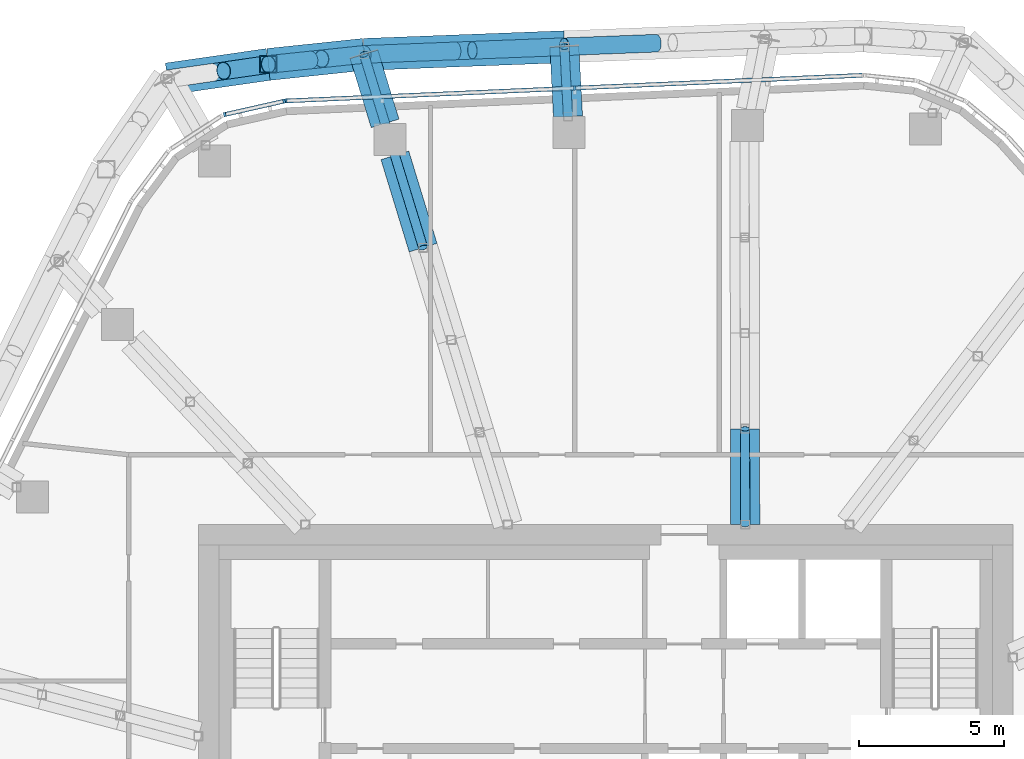
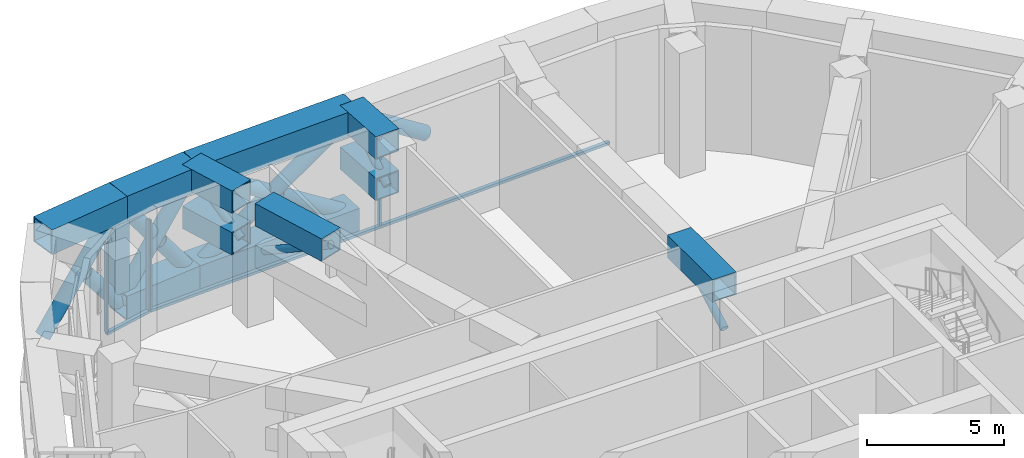
# One storey, part 7 of 31: 31 members, 2 elements without a shape of their own.
"""IFC4 building model written with IfcOpenShell, lengths in metres."""

from ifc_helpers import new_model, si_unit, direction, frame, origin, origin_2d, place, context, subcontext, project, spatial, rectangle, hollow_rectangle, hollow_circle, extrude, material, layer, layer_set, material_profile, profile_set, type_object, element, aggregate, save


model = new_model("IFC4")

# Units and contexts
model_context = context("Model", 3, precision=1e-05, world=origin(), true_north=direction((0.0, 1.0)))
body_context = subcontext(model_context, "Body", "Model", "MODEL_VIEW")
ifc_project = project(units=[si_unit("LENGTHUNIT", "METRE"), si_unit("AREAUNIT", "SQUARE_METRE"), si_unit("VOLUMEUNIT", "CUBIC_METRE"), si_unit("PLANEANGLEUNIT", "RADIAN"), si_unit("MASSUNIT", "GRAM", prefix="KILO")], contexts=[model_context])

# Site, building, storey
site_placement = place(None, origin())
site = spatial("IfcSite", under=ifc_project, at=site_placement, CompositionType="ELEMENT")
building_placement = place(site_placement, origin())
building = spatial("IfcBuilding", under=site, at=building_placement, Name="Dongbaek Canopy Tower", CompositionType="ELEMENT")
storey_placement = place(building_placement, frame((0.0, 0.0, 283.199951171875)))
storey = spatial("IfcBuildingStorey", under=building, at=storey_placement, Name="L60", CompositionType="ELEMENT", Elevation=283.199951171875)

# Members
ifc_material_1 = material(Name="Steel S355", Category="steel")
ifc_material_profile_1 = material_profile(ifc_material_1, hollow_circle(Radius=0.304931640625, WallThickness=0.01611328125, at=origin_2d()), Name="BELT BRACE CHS 610.0x16.0 Steel S355")
ifc_profile_set_1 = profile_set([ifc_material_profile_1], Name="Steel S355")
member_type_1 = type_object("IfcMemberType", Name="BELT BRACE CHS 610.0x16.0 Steel S355", PredefinedType="BRACE", material=ifc_profile_set_1)
member_1_placement = place(storey_placement, frame((-15.0615234375, 26.3212890625, 0.550048828125), z_axis=(0.612139581474, 0.087910452643, 0.785847876569), x_axis=(-0.142153348055, 0.989844647223, 0.0)))
element("IfcMember", 1, at=member_1_placement, inside=storey, type_object=member_type_1, Name="BELT:L60:13:D0:0", PredefinedType="BRACE", context=body_context, shape_type="SweptSolid", body=[
    extrude(hollow_circle(Radius=0.304931640625, WallThickness=0.01611328125, at=origin_2d()), origin(), (0.0, 0.0, 1.0), 5.66259765625),
])
member_2_placement = place(storey_placement, frame((-11.59521484375, 26.819091796875, 0.550048828125), z_axis=(-0.612103406552, -0.087858949039, 0.785881813482), x_axis=(0.142079973821, -0.989855181852, 0.0)))
element("IfcMember", 2, at=member_2_placement, inside=storey, type_object=member_type_1, Name="BELT:L60:13:D0:1", PredefinedType="BRACE", context=body_context, shape_type="SweptSolid", body=[
    extrude(hollow_circle(Radius=0.304931640625, WallThickness=0.01611328125, at=origin_2d()), origin(), (0.0, 0.0, 1.0), 2.517578125),
])
member_3_placement = place(storey_placement, frame((-11.59521484375, 26.819091796875, 0.550048828125), z_axis=(0.592948536307, 0.062281178899, 0.802828180899), x_axis=(-0.104461734799, 0.99452890655, 0.0)))
element("IfcMember", 3, at=member_3_placement, inside=storey, type_object=member_type_1, Name="BELT:L60:13:D1:0", PredefinedType="BRACE", context=body_context, shape_type="SweptSolid", body=[
    extrude(hollow_circle(Radius=0.304931640625, WallThickness=0.01611328125, at=origin_2d()), origin(), (0.0, 0.0, 1.0), 5.542724609375),
])
for number, where, z_axis, x_axis, name in (
    (4, (-8.30859375, 27.164306640625, 0.550048828125), (-0.592925431329, -0.06230843042, 0.802843130619), (0.104510971509, -0.994523733671, 0.0), "BELT:L60:13:D1:1"),
    (5, (-11.59521484375, 26.819091796875, 5.0), (0.592929105644, 0.06220928169, -0.802848105778), (-0.104345840279, 0.994541072866, 0.0), "BELT:L60:13:D1:2"),
):
    element("IfcMember", number, at=place(storey_placement, frame(where, z_axis=z_axis, x_axis=x_axis)), inside=storey, type_object=member_type_1, Name=name, PredefinedType="BRACE", context=body_context, shape_type="SweptSolid", body=[
        extrude(hollow_circle(Radius=0.304931640625, WallThickness=0.01611328125, at=origin_2d()), origin(), (0.0, 0.0, 1.0), 2.452880859375),
    ])
member_4_placement = place(storey_placement, frame((-8.30859375, 27.164306640625, 0.550048828125), z_axis=(0.839601712336, 0.032129893322, 0.542251449605), x_axis=(-0.038240027966, 0.999268582645, 0.0)))
element("IfcMember", 6, at=member_4_placement, inside=storey, type_object=member_type_1, Name="BELT:L60:14:D0:0", PredefinedType="BRACE", context=body_context, shape_type="SweptSolid", body=[
    extrude(hollow_circle(Radius=0.304931640625, WallThickness=0.01611328125, at=origin_2d()), origin(), (0.0, 0.0, 1.0), 8.20654296875),
])
for number, where, z_axis, x_axis, name in (
    (7, (-1.41845703125, 27.427978515625, 0.550048828125), (-0.83960558153, -0.03213305312, 0.542245271405), (0.03824360718, -0.999268445669, 0.0), "BELT:L60:14:D0:1"),
    (8, (-8.30859375, 27.164306640625, 5.0), (0.83960558153, 0.03213305312, -0.542245271405), (-0.03824360718, 0.999268445669, 0.0), "BELT:L60:14:D0:2"),
):
    element("IfcMember", number, at=place(storey_placement, frame(where, z_axis=z_axis, x_axis=x_axis)), inside=storey, type_object=member_type_1, Name=name, PredefinedType="BRACE", context=body_context, shape_type="SweptSolid", body=[
        extrude(hollow_circle(Radius=0.304931640625, WallThickness=0.01611328125, at=origin_2d()), origin(), (0.0, 0.0, 1.0), 3.7685546875),
    ])
member_5_placement = place(storey_placement, frame((-1.41845703125, 27.427978515625, 5.0), z_axis=(0.8395847148, 0.032199521819, -0.542273637077), x_axis=(-0.038323550837, 0.999265382894, 0.0)))
element("IfcMember", 9, at=member_5_placement, inside=storey, type_object=member_type_1, Name="BELT:L60:15:D0:2", PredefinedType="BRACE", context=body_context, shape_type="SweptSolid", body=[
    extrude(hollow_circle(Radius=0.304931640625, WallThickness=0.01611328125, at=origin_2d()), origin(), (0.0, 0.0, 1.0), 3.768310546875),
])
ifc_material_2 = material(Name="Steel S355", Category="steel")
ifc_material_profile_2 = material_profile(ifc_material_2, hollow_rectangle(XDim=1.10009765625, YDim=1.10009765625, WallThickness=0.054931640625, at=origin_2d()), Name="BELT CHORD BOX 1100x1100x55 Steel S355")
ifc_profile_set_2 = profile_set([ifc_material_profile_2], Name="Steel S355")
member_type_2 = type_object("IfcMemberType", Name="BELT CHORD BOX 1100x1100x55 Steel S355", PredefinedType="CHORD", material=ifc_profile_set_2)
member_6_placement = place(storey_placement, frame((-15.0615234375, 26.3212890625, 5.0), z_axis=(0.989844647223, 0.142153348055, 0.0), x_axis=(-0.142153348055, 0.989844647223, 0.0)))
element("IfcMember", 10, at=member_6_placement, inside=storey, type_object=member_type_2, Name="BELT:L60:13:CT0", PredefinedType="CHORD", context=body_context, shape_type="SweptSolid", body=[
    extrude(hollow_rectangle(XDim=1.10009765625, YDim=1.10009765625, WallThickness=0.054931640625, at=origin_2d()), origin(), (0.0, 0.0, 1.0), 3.501953125),
])
for number, where, z_axis, x_axis, name in (
    (11, (-11.59521484375, 26.819091796875, 0.550048828125), (0.99452890655, 0.104461734799, 0.0), (-0.104461734799, 0.99452890655, 0.0), "BELT:L60:13:CB1"),
    (12, (-11.59521484375, 26.819091796875, 5.0), (0.99452890655, 0.104461734799, 0.0), (-0.104461734799, 0.99452890655, 0.0), "BELT:L60:13:CT1"),
):
    element("IfcMember", number, at=place(storey_placement, frame(where, z_axis=z_axis, x_axis=x_axis)), inside=storey, type_object=member_type_2, Name=name, PredefinedType="CHORD", context=body_context, shape_type="SweptSolid", body=[
        extrude(hollow_rectangle(XDim=1.10009765625, YDim=1.10009765625, WallThickness=0.054931640625, at=origin_2d()), origin(), (0.0, 0.0, 1.0), 3.3046875),
    ])
for number, where, z_axis, x_axis, name in (
    (13, (-8.30859375, 27.164306640625, 0.550048828125), (0.999268582645, 0.038240027966, 0.0), (-0.038240027966, 0.999268582645, 0.0), "BELT:L60:14:CB0"),
    (14, (-8.30859375, 27.164306640625, 5.0), (0.999268582645, 0.038240027966, 0.0), (-0.038240027966, 0.999268582645, 0.0), "BELT:L60:14:CT0"),
):
    element("IfcMember", number, at=place(storey_placement, frame(where, z_axis=z_axis, x_axis=x_axis)), inside=storey, type_object=member_type_2, Name=name, PredefinedType="CHORD", context=body_context, shape_type="SweptSolid", body=[
        extrude(hollow_rectangle(XDim=1.10009765625, YDim=1.10009765625, WallThickness=0.054931640625, at=origin_2d()), origin(), (0.0, 0.0, 1.0), 6.895263671875),
    ])
ifc_material_3 = material(Name="Steel S355", Category="steel")
ifc_material_profile_3 = material_profile(ifc_material_3, hollow_rectangle(XDim=0.60009765625, YDim=0.60009765625, WallThickness=0.031982421875, at=origin_2d()), Name="BELT POST BOX 600x600x32 Steel S355")
ifc_profile_set_3 = profile_set([ifc_material_profile_3], Name="Steel S355")
member_type_3 = type_object("IfcMemberType", Name="BELT POST BOX 600x600x32 Steel S355", PredefinedType="POST", material=ifc_profile_set_3)
member_7_placement = place(storey_placement, frame((-11.59521484375, 26.819091796875, 1.10009765625), z_axis=(0.0, 0.0, 1.0), x_axis=(1.0, 0.0, 0.0)))
element("IfcMember", 15, at=member_7_placement, inside=storey, type_object=member_type_3, Name="BELT:L60:13:P1", PredefinedType="POST", context=body_context, shape_type="SweptSolid", body=[
    extrude(hollow_rectangle(XDim=0.60009765625, YDim=0.60009765625, WallThickness=0.031982421875, at=origin_2d()), origin(), (0.0, 0.0, 1.0), 3.349853515625),
])
ifc_material_4 = material(Name="Steel S355", Category="steel")
ifc_material_profile_4 = material_profile(ifc_material_4, hollow_circle(Radius=0.1591796875, WallThickness=0.01025390625, at=origin_2d()), Name="BRACE CHS 318.5x10.3 Steel S355")
ifc_profile_set_4 = profile_set([ifc_material_profile_4], Name="Steel S355")
member_type_4 = type_object("IfcMemberType", Name="BRACE CHS 318.5x10.3 Steel S355", PredefinedType="BRACE", material=ifc_profile_set_4)
member_8_placement = place(storey_placement, frame((-1.29443359375, 25.029052734375, 3.199951171875), z_axis=(-0.040904685165, 0.791199678015, 0.610188394056), x_axis=(-0.998666250184, -0.051630618267, 0.0)))
element("IfcMember", 16, at=member_8_placement, inside=storey, type_object=member_type_4, Name="TRUSS:L60:15:D0", PredefinedType="BRACE", context=body_context, shape_type="SweptSolid", body=[
    extrude(hollow_circle(Radius=0.1591796875, WallThickness=0.01025390625, at=origin_2d()), origin(), (0.0, 0.0, 1.0), 3.031982421875),
])
ifc_material_5 = material(Name="Steel S355", Category="steel")
ifc_material_profile_5 = material_profile(ifc_material_5, hollow_rectangle(XDim=1.0, YDim=1.0, WallThickness=0.050048828125, at=origin_2d()), Name="CHORD BOX 1000x1000x50 Steel S355")
ifc_profile_set_5 = profile_set([ifc_material_profile_5], Name="Steel S355")
member_type_5 = type_object("IfcMemberType", Name="CHORD BOX 1000x1000x50 Steel S355", PredefinedType="CHORD", material=ifc_profile_set_5)
for number, where, z_axis, x_axis, name in (
    (17, (-1.29443359375, 25.029052734375, 3.199951171875), (-0.051630618267, 0.998666250184, 0.0), (-0.998666250184, -0.051630618267, 0.0), "TRUSS:L60:15:CB"),
    (18, (-1.29443359375, 25.029052734375, 5.050048828125), (-0.051630618267, 0.998666250184, 0.0), (-0.998666250184, -0.051630618267, 0.0), "TRUSS:L60:15:CT0"),
):
    element("IfcMember", number, at=place(storey_placement, frame(where, z_axis=z_axis, x_axis=x_axis)), inside=storey, type_object=member_type_5, Name=name, PredefinedType="CHORD", context=body_context, shape_type="SweptSolid", body=[
        extrude(hollow_rectangle(XDim=1.0, YDim=1.0, WallThickness=0.050048828125, at=origin_2d()), origin(), (0.0, 0.0, 1.0), 2.402099609375),
    ])

# Curtain wall, members
ifc_material_6 = material(Name="Aluminium 6063-T6 pale anodised", Category="aluminium")
ifc_layer = layer(ifc_material_6, 0.14990234375)
ifc_layer_set = layer_set([ifc_layer], Name="CW-7 louvre curtain wall")
curtain_wall_type = type_object("IfcCurtainWallType", Name="CW-7 louvre curtain wall", PredefinedType="NOTDEFINED", material=ifc_layer_set)
curtain_wall_1_placement = place(storey_placement, origin())
curtain_wall_1 = element("IfcCurtainWall", 19, at=curtain_wall_1_placement, inside=storey, type_object=curtain_wall_type, Name="CW-7 louvre wall L60 F1", PredefinedType="NOTDEFINED")
ifc_material_7 = material(Name="Aluminium 6063-T6 pale anodised", Category="aluminium")
ifc_material_profile_6 = material_profile(ifc_material_7, rectangle(XDim=0.14990234375, YDim=0.080078125, at=origin_2d()), Name="CW-7 mullion 80 x 150")
ifc_profile_set_6 = profile_set([ifc_material_profile_6], Name="Aluminium 6063-T6 pale anodised")
member_type_6 = type_object("IfcMemberType", Name="CW-7 mullion 80 x 150", PredefinedType="MULLION", material=ifc_profile_set_6)
member_9_placement = place(storey_placement, frame((-1.06689453125, 26.006591796875, 0.775146484375), z_axis=(0.0, 0.0, 1.0), x_axis=(-0.044415783654, 0.999013132127, 0.0)))
member_9 = element("IfcMember", 20, at=member_9_placement, type_object=member_type_6, Name="CW-7 mullion L60 F1.1.2", PredefinedType="MULLION", context=body_context, shape_type="SweptSolid", body=[
    extrude(rectangle(XDim=0.14990234375, YDim=0.080078125, at=origin_2d()), origin(), (0.0, 0.0, 1.0), 4.0),
])
member_10_placement = place(storey_placement, frame((-10.994140625, 25.565185546875, 0.775146484375), z_axis=(0.0, 0.0, 1.0), x_axis=(-0.044415783654, 0.999013132127, 0.0)))
member_10 = element("IfcMember", 21, at=member_10_placement, type_object=member_type_6, Name="CW-7 mullion L60 F1.1.3", PredefinedType="MULLION", context=body_context, shape_type="SweptSolid", body=[
    extrude(rectangle(XDim=0.14990234375, YDim=0.080078125, at=origin_2d()), origin(), (0.0, 0.0, 1.0), 4.0),
])

curtain_wall_2_placement = place(storey_placement, origin())
curtain_wall_2 = element("IfcCurtainWall", 22, at=curtain_wall_2_placement, inside=storey, type_object=curtain_wall_type, Name="CW-7 louvre wall L60 K2", PredefinedType="NOTDEFINED")
member_11_placement = place(storey_placement, frame((-11.0556640625, 25.55712890625, 0.775146484375), z_axis=(0.0, 0.0, 1.0), x_axis=(-0.22015114159, 0.975465773288, 0.0)))
member_11 = element("IfcMember", 23, at=member_11_placement, type_object=member_type_6, Name="CW-7 mullion L60 K2.1.1", PredefinedType="MULLION", context=body_context, shape_type="SweptSolid", body=[
    extrude(rectangle(XDim=0.14990234375, YDim=0.080078125, at=origin_2d()), origin(), (0.0, 0.0, 1.0), 4.0),
])
member_12_placement = place(storey_placement, frame((-13.0966796875, 25.096435546875, 0.775146484375), z_axis=(0.0, 0.0, 1.0), x_axis=(-0.22015114159, 0.975465773288, 0.0)))
member_12 = element("IfcMember", 24, at=member_12_placement, type_object=member_type_6, Name="CW-7 mullion L60 K2.1.2", PredefinedType="MULLION", context=body_context, shape_type="SweptSolid", body=[
    extrude(rectangle(XDim=0.14990234375, YDim=0.080078125, at=origin_2d()), origin(), (0.0, 0.0, 1.0), 4.0),
])

# Member
ifc_material_8 = material(Name="Aluminium 6063-T6 pale anodised", Category="aluminium")
ifc_material_profile_7 = material_profile(ifc_material_8, rectangle(XDim=0.14990234375, YDim=0.1201171875, at=origin_2d()), Name="CW-7 transom 120 x 150")
ifc_profile_set_7 = profile_set([ifc_material_profile_7], Name="Aluminium 6063-T6 pale anodised")
member_type_7 = type_object("IfcMemberType", Name="CW-7 transom 120 x 150", PredefinedType="USERDEFINED", material=ifc_profile_set_7)
member_13_placement = place(storey_placement, frame((8.860107421875, 26.447998046875, 0.715087890625), z_axis=(-0.999012910202, -0.044420774975, 0.0), x_axis=(0.044420774975, -0.999012910202, 0.0)))
member_13 = element("IfcMember", 25, at=member_13_placement, type_object=member_type_7, Name="CW-7 transom L60 F1.1", ObjectType="TRANSOM", PredefinedType="USERDEFINED", context=body_context, shape_type="SweptSolid", body=[
    extrude(rectangle(XDim=0.14990234375, YDim=0.1201171875, at=origin_2d()), origin(), (0.0, 0.0, 1.0), 19.873779296875),
])

aggregate(curtain_wall_1, [member_13, member_9, member_10])

member_14_placement = place(storey_placement, frame((-11.0556640625, 25.55712890625, 0.715087890625), z_axis=(-0.975459598357, -0.220178500251, 0.0), x_axis=(0.220178500251, -0.975459598357, 0.0)))
member_14 = element("IfcMember", 26, at=member_14_placement, type_object=member_type_7, Name="CW-7 transom L60 K2.1", ObjectType="TRANSOM", PredefinedType="USERDEFINED", context=body_context, shape_type="SweptSolid", body=[
    extrude(rectangle(XDim=0.14990234375, YDim=0.1201171875, at=origin_2d()), origin(), (0.0, 0.0, 1.0), 2.09228515625),
])

aggregate(curtain_wall_2, [member_14, member_11, member_12])

# Members
ifc_material_9 = material(Name="Steel S355", Category="steel")
ifc_material_profile_8 = material_profile(ifc_material_9, hollow_circle(Radius=0.1591796875, WallThickness=0.01025390625, at=origin_2d()), Name="OUTRIGGER BRACE CHS 318.5x10.3 Steel S355")
ifc_profile_set_8 = profile_set([ifc_material_profile_8], Name="Steel S355")
member_type_8 = type_object("IfcMemberType", Name="OUTRIGGER BRACE CHS 318.5x10.3 Steel S355", PredefinedType="BRACE", material=ifc_profile_set_8)
member_15_placement = place(storey_placement, frame((-6.276123046875, 20.519775390625, 5.050048828125), z_axis=(-0.255490554968, 0.835227925923, -0.486948547672), x_axis=(-0.956261289428, -0.292513839573, 0.0)))
element("IfcMember", 27, at=member_15_placement, inside=storey, type_object=member_type_8, Name="TRUSS:L60:14:D3", PredefinedType="BRACE", context=body_context, shape_type="SweptSolid", body=[
    extrude(hollow_circle(Radius=0.1591796875, WallThickness=0.01025390625, at=origin_2d()), origin(), (0.0, 0.0, 1.0), 3.79931640625),
])
member_16_placement = place(storey_placement, frame((-7.583251953125, 24.79296875, 3.199951171875), z_axis=(-0.234442446305, 0.766455564107, 0.597982113127), x_axis=(-0.956265166582, -0.29250116441, 0.0)))
element("IfcMember", 28, at=member_16_placement, inside=storey, type_object=member_type_8, Name="TRUSS:L60:14s:D0", PredefinedType="BRACE", context=body_context, shape_type="SweptSolid", body=[
    extrude(hollow_circle(Radius=0.1591796875, WallThickness=0.01025390625, at=origin_2d()), origin(), (0.0, 0.0, 1.0), 3.093994140625),
])
member_17_placement = place(storey_placement, frame((4.800048828125, 11.0, 3.199951171875), z_axis=(-0.001681317814, 0.871698620259, 0.490039476582), x_axis=(-0.999998139903, -0.001928779795, 0.0)))
element("IfcMember", 29, at=member_17_placement, inside=storey, type_object=member_type_8, Name="TRUSS:L60:16:D0", PredefinedType="BRACE", context=body_context, shape_type="SweptSolid", body=[
    extrude(hollow_circle(Radius=0.1591796875, WallThickness=0.01025390625, at=origin_2d()), origin(), (0.0, 0.0, 1.0), 3.775390625),
])
ifc_material_10 = material(Name="Steel S355", Category="steel")
ifc_material_profile_9 = material_profile(ifc_material_10, hollow_rectangle(XDim=1.0, YDim=1.0, WallThickness=0.050048828125, at=origin_2d()), Name="OUTRIGGER CHORD BOX 1000x1000x50 Steel S355")
ifc_profile_set_9 = profile_set([ifc_material_profile_9], Name="Steel S355")
member_type_9 = type_object("IfcMemberType", Name="OUTRIGGER CHORD BOX 1000x1000x50 Steel S355", PredefinedType="CHORD", material=ifc_profile_set_9)
member_18_placement = place(storey_placement, frame((-6.276123046875, 20.519775390625, 5.050048828125), z_axis=(-0.292513839573, 0.956261289428, 0.0), x_axis=(-0.956261289428, -0.292513839573, 0.0)))
element("IfcMember", 30, at=member_18_placement, inside=storey, type_object=member_type_9, Name="TRUSS:L60:14:CT3", PredefinedType="CHORD", context=body_context, shape_type="SweptSolid", body=[
    extrude(hollow_rectangle(XDim=1.0, YDim=1.0, WallThickness=0.050048828125, at=origin_2d()), origin(), (0.0, 0.0, 1.0), 3.318603515625),
])
for number, where, z_axis, x_axis, name in (
    (31, (-7.583251953125, 24.79296875, 3.199951171875), (-0.29250116441, 0.956265166582, 0.0), (-0.956265166582, -0.29250116441, 0.0), "TRUSS:L60:14s:CB"),
    (32, (-7.583251953125, 24.79296875, 5.050048828125), (-0.29250116441, 0.956265166582, 0.0), (-0.956265166582, -0.29250116441, 0.0), "TRUSS:L60:14s:CT0"),
):
    element("IfcMember", number, at=place(storey_placement, frame(where, z_axis=z_axis, x_axis=x_axis)), inside=storey, type_object=member_type_9, Name=name, PredefinedType="CHORD", context=body_context, shape_type="SweptSolid", body=[
        extrude(hollow_rectangle(XDim=1.0, YDim=1.0, WallThickness=0.050048828125, at=origin_2d()), origin(), (0.0, 0.0, 1.0), 2.479736328125),
    ])
member_19_placement = place(storey_placement, frame((4.800048828125, 11.0, 5.050048828125), z_axis=(-0.001928779795, 0.999998139903, 0.0), x_axis=(-0.999998139903, -0.001928779795, 0.0)))
element("IfcMember", 33, at=member_19_placement, inside=storey, type_object=member_type_9, Name="TRUSS:L60:16:CT0", PredefinedType="CHORD", context=body_context, shape_type="SweptSolid", body=[
    extrude(hollow_rectangle(XDim=1.0, YDim=1.0, WallThickness=0.050048828125, at=origin_2d()), origin(), (0.0, 0.0, 1.0), 3.291015625),
])

save(model, "model.ifc")
